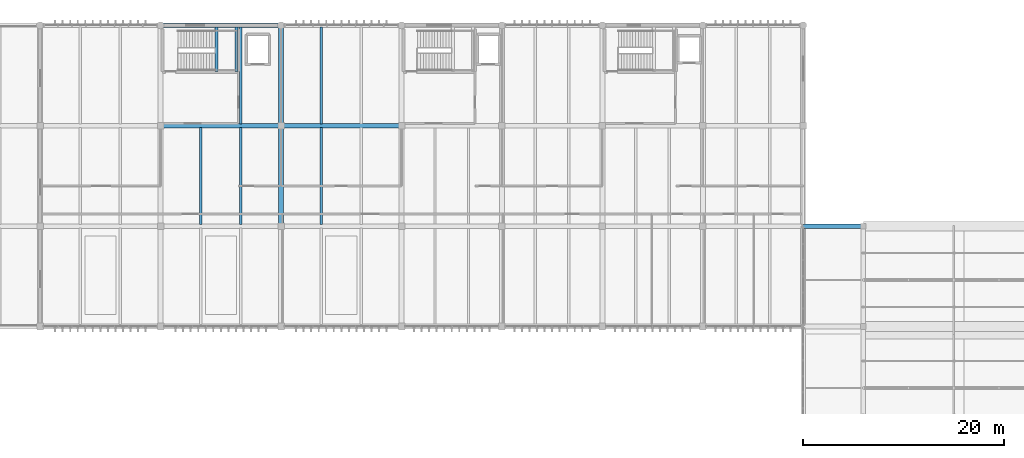
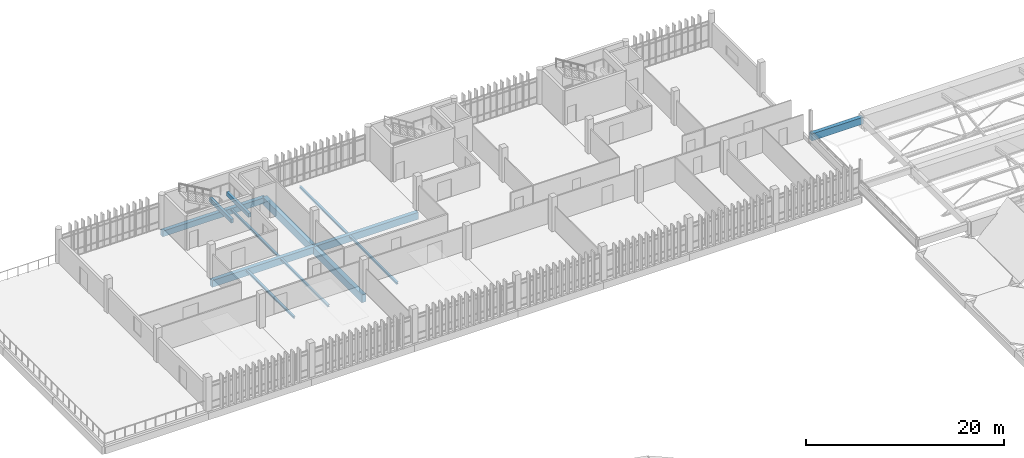
# One storey, part 32 of 82: 13 beams.
"""IFC4 building model written with IfcOpenShell, lengths in metres."""

from ifc_helpers import new_model, si_unit, direction, frame, origin, origin_2d, place, context, subcontext, project, spatial, rectangle, i_section, extrude, material, material_profile, profile_set, type_object, element, save


model = new_model("IFC4")

# Units and contexts
model_context = context("Model", 3, precision=1e-05, world=origin(), true_north=direction((0.0, 1.0)))
body_context = subcontext(model_context, "Body", "Model", "MODEL_VIEW")
ifc_project = project(units=[si_unit("LENGTHUNIT", "METRE"), si_unit("AREAUNIT", "SQUARE_METRE"), si_unit("VOLUMEUNIT", "CUBIC_METRE"), si_unit("PLANEANGLEUNIT", "RADIAN"), si_unit("MASSUNIT", "GRAM", prefix="KILO")], contexts=[model_context])

# Site, building, storey
site_placement = place(None, origin())
site = spatial("IfcSite", under=ifc_project, at=site_placement, CompositionType="ELEMENT")
building_placement = place(site_placement, origin())
building = spatial("IfcBuilding", under=site, at=building_placement, Name="Mersad Railyard Sports Hall", CompositionType="ELEMENT")
storey_placement = place(building_placement, frame((0.0, 0.0, 13.199951171875)))
storey = spatial("IfcBuildingStorey", under=building, at=storey_placement, Name="L03", CompositionType="ELEMENT", Elevation=13.199951171875)

# Beams
ifc_material_1 = material(Name="Concrete C40/50", Category="concrete")
ifc_material_profile_1 = material_profile(ifc_material_1, rectangle(XDim=0.449951171875, YDim=0.85009765625, at=origin_2d()), Name="RC 450x850")
ifc_profile_set_1 = profile_set([ifc_material_profile_1], Name="Concrete C40/50")
beam_type_1 = type_object("IfcBeamType", Name="STR-BM-B02", PredefinedType="BEAM", material=ifc_profile_set_1)
beam_1_placement = place(storey_placement, frame((131.0, 95.0, 0.925048828125), z_axis=(1.0, 0.0, 0.0), x_axis=(0.0, 1.0, 0.0)))
element("IfcBeam", 1, at=beam_1_placement, inside=storey, type_object=beam_type_1, Name="Beam B02-0909", PredefinedType="BEAM", context=body_context, shape_type="SweptSolid", body=[
    extrude(rectangle(XDim=0.449951171875, YDim=0.85009765625, at=origin_2d()), origin(), (0.0, 0.0, 1.0), 6.0),
])
for number, where, z_axis, x_axis, name in (
    (2, (67.0, 105.0, -0.744873046875), (1.0, 0.0, 0.0), (0.0, 1.0, 0.0), "Beam B02-1230"),
    (3, (79.0, 105.0, -0.744873046875), (1.0, 0.0, 0.0), (0.0, 1.0, 0.0), "Beam B02-1231"),
):
    element("IfcBeam", number, at=place(storey_placement, frame(where, z_axis=z_axis, x_axis=x_axis)), inside=storey, type_object=beam_type_1, Name=name, PredefinedType="BEAM", context=body_context, shape_type="SweptSolid", body=[
        extrude(rectangle(XDim=0.449951171875, YDim=0.85009765625, at=origin_2d()), origin(), (0.0, 0.0, 1.0), 12.0),
    ])
ifc_material_2 = material(Name="Concrete C50/60", Category="concrete")
ifc_material_profile_2 = material_profile(ifc_material_2, rectangle(XDim=0.5, YDim=0.949951171875, at=origin_2d()), Name="RC 500x950")
ifc_profile_set_2 = profile_set([ifc_material_profile_2], Name="Concrete C50/60")
beam_type_2 = type_object("IfcBeamType", Name="STR-BM-B03", PredefinedType="BEAM", material=ifc_profile_set_2)
for number, where, z_axis, x_axis, name in (
    (4, (79.0, 95.0, -0.794921875), (0.0, 1.0, 0.0), (-1.0, 0.0, 0.0), "Beam B03-1254"),
    (5, (79.0, 105.0, -0.794921875), (0.0, 1.0, 0.0), (-1.0, 0.0, 0.0), "Beam B03-1255"),
):
    element("IfcBeam", number, at=place(storey_placement, frame(where, z_axis=z_axis, x_axis=x_axis)), inside=storey, type_object=beam_type_2, Name=name, PredefinedType="BEAM", context=body_context, shape_type="SweptSolid", body=[
        extrude(rectangle(XDim=0.5, YDim=0.949951171875, at=origin_2d()), origin(), (0.0, 0.0, 1.0), 10.0),
    ])
ifc_material_profile_3 = material_profile(ifc_material_1, rectangle(XDim=0.300048828125, YDim=0.5, at=origin_2d()), Name="RC 300x500")
ifc_profile_set_3 = profile_set([ifc_material_profile_3], Name="Concrete C40/50")
beam_type_3 = type_object("IfcBeamType", Name="STR-BM-LN01", PredefinedType="LINTEL", material=ifc_profile_set_3)
for number, where, z_axis, x_axis, name in (
    (6, (72.555908203125, 110.3798828125, 1.670166015625), (0.0, 1.0, 0.0), (-1.0, 0.0, 0.0), "Stair ST01E landing beam W"),
    (7, (74.570068359375, 110.3798828125, 1.670166015625), (0.0, 1.0, 0.0), (-1.0, 0.0, 0.0), "Stair ST01E landing beam E"),
):
    element("IfcBeam", number, at=place(storey_placement, frame(where, z_axis=z_axis, x_axis=x_axis)), inside=storey, type_object=beam_type_3, Name=name, PredefinedType="LINTEL", context=body_context, shape_type="SweptSolid", body=[
        extrude(rectangle(XDim=0.300048828125, YDim=0.5, at=origin_2d()), origin(), (0.0, 0.0, 1.0), 4.43017578125),
    ])
ifc_material_3 = material(Name="Steel S355", Category="steel")
ifc_material_profile_4 = material_profile(ifc_material_3, i_section(OverallWidth=0.239990234375, OverallDepth=0.239990234375, WebThickness=0.010009765625, FlangeThickness=0.01708984375, at=origin_2d()), Name="HEB 240")
ifc_profile_set_4 = profile_set([ifc_material_profile_4], Name="Steel S355")
beam_type_4 = type_object("IfcBeamType", Name="STR-BM-SB04", PredefinedType="BEAM", material=ifc_profile_set_4)
for number, where, z_axis, x_axis, name in (
    (8, (71.0, 95.179931640625, -0.43994140625), (0.0, 1.0, 0.0), (-1.0, 0.0, 0.0), "Beam SB04-1285"),
    (9, (75.0, 95.179931640625, -0.43994140625), (0.0, 1.0, 0.0), (-1.0, 0.0, 0.0), "Beam SB04-1286"),
    (10, (75.0, 105.179931640625, -0.43994140625), (0.0, 1.0, 0.0), (-1.0, 0.0, 0.0), "Beam SB04-1287"),
    (11, (83.0, 95.179931640625, -0.43994140625), (0.0, 1.0, 0.0), (-1.0, 0.0, 0.0), "Beam SB04-1290"),
    (12, (83.0, 105.179931640625, -0.43994140625), (0.0, 1.0, 0.0), (-1.0, 0.0, 0.0), "Beam SB04-1292"),
):
    element("IfcBeam", number, at=place(storey_placement, frame(where, z_axis=z_axis, x_axis=x_axis)), inside=storey, type_object=beam_type_4, Name=name, PredefinedType="BEAM", context=body_context, shape_type="SweptSolid", body=[
        extrude(i_section(OverallWidth=0.239990234375, OverallDepth=0.239990234375, WebThickness=0.010009765625, FlangeThickness=0.01708984375, at=origin_2d()), origin(), (0.0, 0.0, 1.0), 9.64013671875),
    ])
ifc_material_4 = material(Name="Architectural concrete C40/50", Category="concrete")
ifc_material_profile_5 = material_profile(ifc_material_4, rectangle(XDim=0.449951171875, YDim=0.699951171875, at=origin_2d()), Name="RC 450x700")
ifc_profile_set_5 = profile_set([ifc_material_profile_5], Name="Architectural concrete C40/50")
beam_type_5 = type_object("IfcBeamType", Name="STR-BM-SP01", PredefinedType="SPANDREL", material=ifc_profile_set_5)
beam_2_placement = place(storey_placement, frame((67.0, 115.0, -0.669921875), z_axis=(1.0, 0.0, 0.0), x_axis=(0.0, 1.0, 0.0)))
element("IfcBeam", 13, at=beam_2_placement, inside=storey, type_object=beam_type_5, Name="Beam SP01-1238", PredefinedType="SPANDREL", context=body_context, shape_type="SweptSolid", body=[
    extrude(rectangle(XDim=0.449951171875, YDim=0.699951171875, at=origin_2d()), origin(), (0.0, 0.0, 1.0), 12.0),
])

save(model, "model.ifc")
